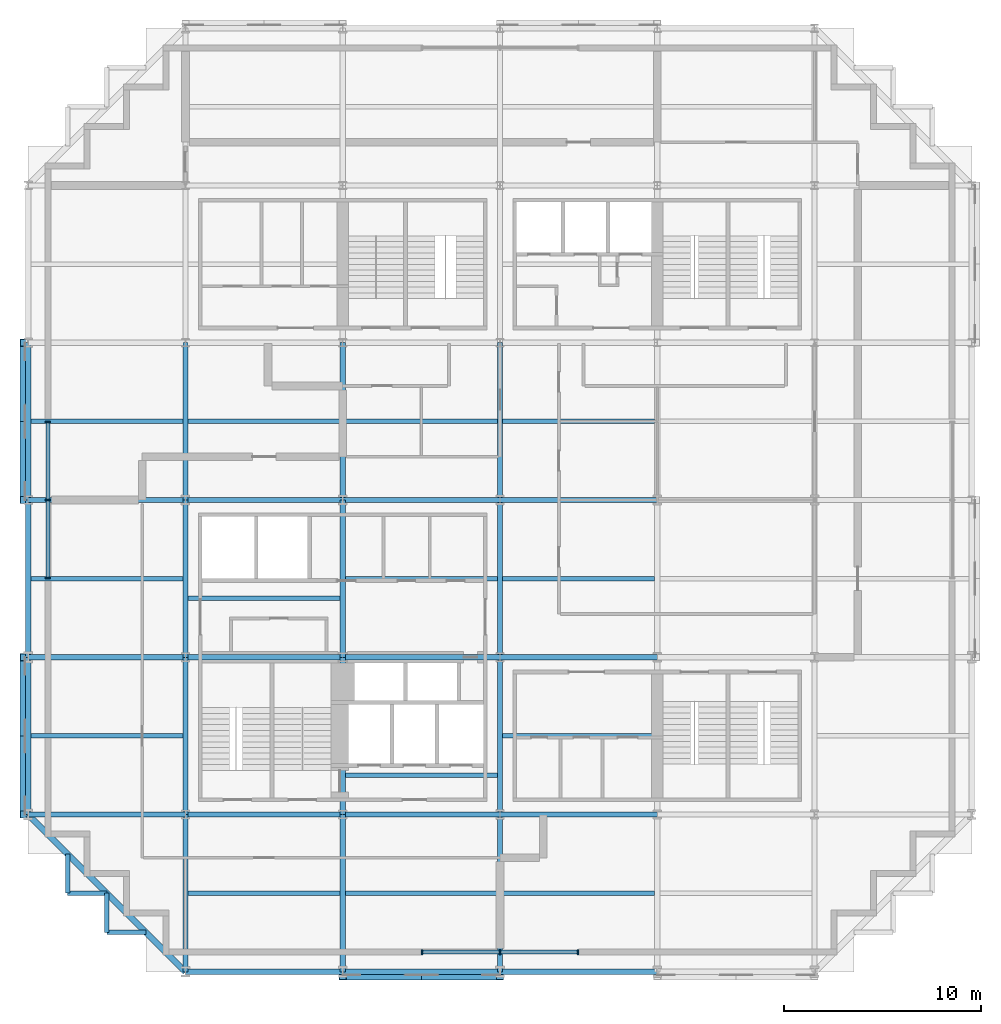
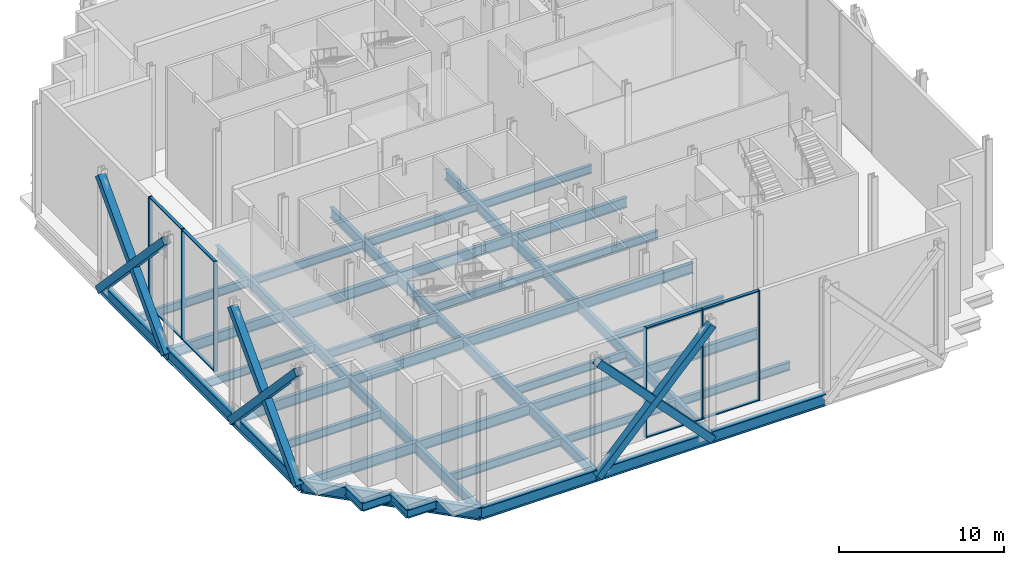
# One storey, part 3 of 13: 49 beams, 20 members, 2 elements without a shape of their own.
"""IFC4 building model written with IfcOpenShell, lengths in metres."""

from ifc_helpers import new_model, si_unit, direction, frame, origin, origin_2d, place, context, subcontext, project, spatial, rectangle, hollow_rectangle, i_section, extrude, material, material_profile, profile_set, type_object, element, aggregate, save


model = new_model("IFC4")

# Units and contexts
model_context = context("Model", 3, precision=1e-05, world=origin(), true_north=direction((0.0, 1.0)))
body_context = subcontext(model_context, "Body", "Model", "MODEL_VIEW")
ifc_project = project(units=[si_unit("LENGTHUNIT", "METRE"), si_unit("AREAUNIT", "SQUARE_METRE"), si_unit("VOLUMEUNIT", "CUBIC_METRE"), si_unit("PLANEANGLEUNIT", "RADIAN"), si_unit("MASSUNIT", "GRAM", prefix="KILO")], contexts=[model_context])

# Site, building, storey
site_placement = place(None, origin())
site = spatial("IfcSite", under=ifc_project, at=site_placement, CompositionType="ELEMENT")
building_placement = place(site_placement, origin())
building = spatial("IfcBuilding", under=site, at=building_placement, Name="Immortelle Media Tower", CompositionType="ELEMENT")
storey_placement = place(building_placement, frame((0.0, 0.0, 21.0)))
storey = spatial("IfcBuildingStorey", under=building, at=storey_placement, Name="L02", CompositionType="ELEMENT", Elevation=21.0)

# Members
ifc_material_1 = material(Name="Steel ASTM A500 Gr C", Category="steel")
ifc_material_profile_1 = material_profile(ifc_material_1, hollow_rectangle(XDim=0.508056640625, YDim=0.508056640625, WallThickness=0.014892578125, at=origin_2d()), Name="HSS20x20x5/8 brace")
ifc_profile_set_1 = profile_set([ifc_material_profile_1], Name="Steel ASTM A500 Gr C")
member_type_1 = type_object("IfcMemberType", Name="HSS20x20x5/8 brace", PredefinedType="BRACE", material=ifc_profile_set_1)
for number, where, z_axis, x_axis, name in (
    (1, (-0.1640625, 32.0, -0.7294921875), (0.0, -0.687508336852, 0.726176484582), (1.0, 0.0, 0.0), "Brace 1/D-E A"),
    (2, (-0.1640625, 32.0, 7.720458984375), (0.0, -0.687508336852, -0.726176484582), (1.0, 0.0, 0.0), "Brace 1/D-E B"),
    (3, (-0.1640625, 16.0, -0.7294921875), (0.0, -0.687508336852, 0.726176484582), (1.0, 0.0, 0.0), "Brace 1/B-C A"),
    (4, (-0.1640625, 16.0, 7.720458984375), (0.0, -0.687508336852, -0.726176484582), (1.0, 0.0, 0.0), "Brace 1/B-C B"),
    (5, (16.0, -0.1640625, -0.7294921875), (0.687508336852, 0.0, 0.726176484582), (0.0, 1.0, 0.0), "Brace A/3-4 A"),
    (6, (16.0, -0.1640625, 7.720458984375), (0.687508336852, 0.0, -0.726176484582), (0.0, 1.0, 0.0), "Brace A/3-4 B"),
):
    element("IfcMember", number, at=place(storey_placement, frame(where, z_axis=z_axis, x_axis=x_axis)), inside=storey, type_object=member_type_1, Name=name, PredefinedType="BRACE", context=body_context, shape_type="SweptSolid", body=[
        extrude(hollow_rectangle(XDim=0.508056640625, YDim=0.508056640625, WallThickness=0.014892578125, at=origin_2d()), origin(), (0.0, 0.0, 1.0), 11.63623046875),
    ])

# Curtain wall, members
ifc_material_2 = material(Name="Aluminium curtain wall system", Category="aluminium")
curtain_wall_type = type_object("IfcCurtainWallType", Name="Media wall curtain wall", PredefinedType="NOTDEFINED", material=ifc_material_2)
curtain_wall_1_placement = place(storey_placement, origin())
curtain_wall_1 = element("IfcCurtainWall", 7, at=curtain_wall_1_placement, inside=storey, type_object=curtain_wall_type, Name="Media wall L02 S 7-2", PredefinedType="NOTDEFINED")
ifc_material_3 = material(Name="Aluminium 6063-T6", Category="aluminium")
ifc_material_profile_2 = material_profile(ifc_material_3, rectangle(XDim=0.25, YDim=0.080078125, at=origin_2d()), Name="AL 80x250")
ifc_profile_set_2 = profile_set([ifc_material_profile_2], Name="Aluminium 6063-T6")
member_type_2 = type_object("IfcMemberType", Name="Media wall mullion 80 x 250", PredefinedType="MULLION", material=ifc_profile_set_2)
member_1_placement = place(storey_placement, frame((20.0400390625, 1.0, 0.0), z_axis=(0.0, 0.0, 1.0), x_axis=(0.0, 1.0, 0.0)))
member_1 = element("IfcMember", 8, at=member_1_placement, type_object=member_type_2, Name="CW3 mullion 1", PredefinedType="MULLION", context=body_context, shape_type="SweptSolid", body=[
    extrude(rectangle(XDim=0.25, YDim=0.080078125, at=origin_2d()), origin(), (0.0, 0.0, 1.0), 8.14990234375),
])
member_2_placement = place(storey_placement, frame((24.0, 1.0, 0.0), z_axis=(0.0, 0.0, 1.0), x_axis=(0.0, 1.0, 0.0)))
member_2 = element("IfcMember", 9, at=member_2_placement, type_object=member_type_2, Name="CW3 mullion 2", PredefinedType="MULLION", context=body_context, shape_type="SweptSolid", body=[
    extrude(rectangle(XDim=0.25, YDim=0.080078125, at=origin_2d()), origin(), (0.0, 0.0, 1.0), 8.14990234375),
])
member_3_placement = place(storey_placement, frame((27.9599609375, 1.0, 0.0), z_axis=(0.0, 0.0, 1.0), x_axis=(0.0, 1.0, 0.0)))
member_3 = element("IfcMember", 10, at=member_3_placement, type_object=member_type_2, Name="CW3 mullion 3", PredefinedType="MULLION", context=body_context, shape_type="SweptSolid", body=[
    extrude(rectangle(XDim=0.25, YDim=0.080078125, at=origin_2d()), origin(), (0.0, 0.0, 1.0), 8.14990234375),
])

curtain_wall_2_placement = place(storey_placement, origin())
curtain_wall_2 = element("IfcCurtainWall", 11, at=curtain_wall_2_placement, inside=storey, type_object=curtain_wall_type, Name="Media wall L02 W 28-2", PredefinedType="NOTDEFINED")
member_4_placement = place(storey_placement, frame((1.0, 27.9599609375, 0.0), z_axis=(0.0, 0.0, 1.0), x_axis=(1.0, 0.0, 0.0)))
member_4 = element("IfcMember", 12, at=member_4_placement, type_object=member_type_2, Name="CW3 mullion 1", PredefinedType="MULLION", context=body_context, shape_type="SweptSolid", body=[
    extrude(rectangle(XDim=0.25, YDim=0.080078125, at=origin_2d()), origin(), (0.0, 0.0, 1.0), 8.14990234375),
])
member_5_placement = place(storey_placement, frame((1.0, 24.0, 0.0), z_axis=(0.0, 0.0, 1.0), x_axis=(1.0, 0.0, 0.0)))
member_5 = element("IfcMember", 13, at=member_5_placement, type_object=member_type_2, Name="CW3 mullion 2", PredefinedType="MULLION", context=body_context, shape_type="SweptSolid", body=[
    extrude(rectangle(XDim=0.25, YDim=0.080078125, at=origin_2d()), origin(), (0.0, 0.0, 1.0), 8.14990234375),
])
member_6_placement = place(storey_placement, frame((1.0, 20.0400390625, 0.0), z_axis=(0.0, 0.0, 1.0), x_axis=(1.0, 0.0, 0.0)))
member_6 = element("IfcMember", 14, at=member_6_placement, type_object=member_type_2, Name="CW3 mullion 3", PredefinedType="MULLION", context=body_context, shape_type="SweptSolid", body=[
    extrude(rectangle(XDim=0.25, YDim=0.080078125, at=origin_2d()), origin(), (0.0, 0.0, 1.0), 8.14990234375),
])

# Member
ifc_material_profile_3 = material_profile(ifc_material_3, rectangle(XDim=0.199951171875, YDim=0.080078125, at=origin_2d()), Name="AL 80x200")
ifc_profile_set_3 = profile_set([ifc_material_profile_3], Name="Aluminium 6063-T6")
member_type_3 = type_object("IfcMemberType", Name="Media wall transom 80 x 200", PredefinedType="USERDEFINED", material=ifc_profile_set_3)
member_7_placement = place(storey_placement, frame((20.080078125, 1.0, 0.0400390625), z_axis=(1.0, 0.0, 0.0), x_axis=(0.0, 1.0, 0.0)))
member_7 = element("IfcMember", 15, at=member_7_placement, type_object=member_type_3, Name="CW3 transom 1.1", ObjectType="TRANSOM", PredefinedType="USERDEFINED", context=body_context, shape_type="SweptSolid", body=[
    extrude(rectangle(XDim=0.199951171875, YDim=0.080078125, at=origin_2d()), origin(), (0.0, 0.0, 1.0), 3.8798828125),
])

member_8_placement = place(storey_placement, frame((20.080078125, 1.0, 8.110107421875), z_axis=(1.0, 0.0, 0.0), x_axis=(0.0, 1.0, 0.0)))
member_8 = element("IfcMember", 16, at=member_8_placement, type_object=member_type_3, Name="CW3 transom 1.2", ObjectType="TRANSOM", PredefinedType="USERDEFINED", context=body_context, shape_type="SweptSolid", body=[
    extrude(rectangle(XDim=0.199951171875, YDim=0.080078125, at=origin_2d()), origin(), (0.0, 0.0, 1.0), 3.8798828125),
])

member_9_placement = place(storey_placement, frame((24.0400390625, 1.0, 0.0400390625), z_axis=(1.0, 0.0, 0.0), x_axis=(0.0, 1.0, 0.0)))
member_9 = element("IfcMember", 17, at=member_9_placement, type_object=member_type_3, Name="CW3 transom 2.1", ObjectType="TRANSOM", PredefinedType="USERDEFINED", context=body_context, shape_type="SweptSolid", body=[
    extrude(rectangle(XDim=0.199951171875, YDim=0.080078125, at=origin_2d()), origin(), (0.0, 0.0, 1.0), 3.8798828125),
])

member_10_placement = place(storey_placement, frame((24.0400390625, 1.0, 8.110107421875), z_axis=(1.0, 0.0, 0.0), x_axis=(0.0, 1.0, 0.0)))
member_10 = element("IfcMember", 18, at=member_10_placement, type_object=member_type_3, Name="CW3 transom 2.2", ObjectType="TRANSOM", PredefinedType="USERDEFINED", context=body_context, shape_type="SweptSolid", body=[
    extrude(rectangle(XDim=0.199951171875, YDim=0.080078125, at=origin_2d()), origin(), (0.0, 0.0, 1.0), 3.8798828125),
])

aggregate(curtain_wall_1, [member_1, member_2, member_3, member_7, member_8, member_9, member_10])

member_11_placement = place(storey_placement, frame((1.0, 27.919921875, 0.0400390625), z_axis=(0.0, -1.0, 0.0), x_axis=(1.0, 0.0, 0.0)))
member_11 = element("IfcMember", 19, at=member_11_placement, type_object=member_type_3, Name="CW3 transom 1.1", ObjectType="TRANSOM", PredefinedType="USERDEFINED", context=body_context, shape_type="SweptSolid", body=[
    extrude(rectangle(XDim=0.199951171875, YDim=0.080078125, at=origin_2d()), origin(), (0.0, 0.0, 1.0), 3.8798828125),
])

member_12_placement = place(storey_placement, frame((1.0, 27.919921875, 8.110107421875), z_axis=(0.0, -1.0, 0.0), x_axis=(1.0, 0.0, 0.0)))
member_12 = element("IfcMember", 20, at=member_12_placement, type_object=member_type_3, Name="CW3 transom 1.2", ObjectType="TRANSOM", PredefinedType="USERDEFINED", context=body_context, shape_type="SweptSolid", body=[
    extrude(rectangle(XDim=0.199951171875, YDim=0.080078125, at=origin_2d()), origin(), (0.0, 0.0, 1.0), 3.8798828125),
])

member_13_placement = place(storey_placement, frame((1.0, 23.9599609375, 0.0400390625), z_axis=(0.0, -1.0, 0.0), x_axis=(1.0, 0.0, 0.0)))
member_13 = element("IfcMember", 21, at=member_13_placement, type_object=member_type_3, Name="CW3 transom 2.1", ObjectType="TRANSOM", PredefinedType="USERDEFINED", context=body_context, shape_type="SweptSolid", body=[
    extrude(rectangle(XDim=0.199951171875, YDim=0.080078125, at=origin_2d()), origin(), (0.0, 0.0, 1.0), 3.8798828125),
])

member_14_placement = place(storey_placement, frame((1.0, 23.9599609375, 8.110107421875), z_axis=(0.0, -1.0, 0.0), x_axis=(1.0, 0.0, 0.0)))
member_14 = element("IfcMember", 22, at=member_14_placement, type_object=member_type_3, Name="CW3 transom 2.2", ObjectType="TRANSOM", PredefinedType="USERDEFINED", context=body_context, shape_type="SweptSolid", body=[
    extrude(rectangle(XDim=0.199951171875, YDim=0.080078125, at=origin_2d()), origin(), (0.0, 0.0, 1.0), 3.8798828125),
])

aggregate(curtain_wall_2, [member_4, member_5, member_6, member_11, member_12, member_13, member_14])

# Beams
ifc_material_4 = material(Name="Steel ASTM A992 Gr 50", Category="steel")
ifc_material_profile_4 = material_profile(ifc_material_4, i_section(OverallWidth=0.22900390625, OverallDepth=0.612060546875, WebThickness=0.011962890625, FlangeThickness=0.02001953125, at=origin_2d()), Name="W24x84")
ifc_profile_set_4 = profile_set([ifc_material_profile_4], Name="Steel ASTM A992 Gr 50")
beam_type_1 = type_object("IfcBeamType", Name="W24x84 secondary beam", PredefinedType="JOIST", material=ifc_profile_set_4)
for number, where, z_axis, x_axis, name in (
    (23, (8.133544921875, 4.0, -0.60595703125), (1.0, 0.0, 0.0), (0.0, 1.0, 0.0), "Beam A-B/2-3"),
    (24, (16.133544921875, 4.0, -0.60595703125), (1.0, 0.0, 0.0), (0.0, 1.0, 0.0), "Beam A-B/3-4"),
    (25, (24.133544921875, 4.0, -0.60595703125), (1.0, 0.0, 0.0), (0.0, 1.0, 0.0), "Beam A-B/4-5"),
):
    element("IfcBeam", number, at=place(storey_placement, frame(where, z_axis=z_axis, x_axis=x_axis)), inside=storey, type_object=beam_type_1, Name=name, PredefinedType="JOIST", context=body_context, shape_type="SweptSolid", body=[
        extrude(i_section(OverallWidth=0.22900390625, OverallDepth=0.612060546875, WebThickness=0.011962890625, FlangeThickness=0.02001953125, at=origin_2d()), origin(), (0.0, 0.0, 1.0), 7.73291015625),
    ])
beam_1_placement = place(storey_placement, frame((0.14599609375, 12.0, -0.60595703125), z_axis=(1.0, 0.0, 0.0), x_axis=(0.0, 1.0, 0.0)))
element("IfcBeam", 26, at=beam_1_placement, inside=storey, type_object=beam_type_1, Name="Beam B-C/1-2", PredefinedType="JOIST", context=body_context, shape_type="SweptSolid", body=[
    extrude(i_section(OverallWidth=0.22900390625, OverallDepth=0.612060546875, WebThickness=0.011962890625, FlangeThickness=0.02001953125, at=origin_2d()), origin(), (0.0, 0.0, 1.0), 7.720458984375),
])
for number, where, z_axis, x_axis, name in (
    (27, (16.133544921875, 10.0, -0.60595703125), (1.0, 0.0, 0.0), (0.0, 1.0, 0.0), "Beam B-C/3-4"),
    (28, (24.133544921875, 12.0, -0.60595703125), (1.0, 0.0, 0.0), (0.0, 1.0, 0.0), "Beam B-C/4-5"),
):
    element("IfcBeam", number, at=place(storey_placement, frame(where, z_axis=z_axis, x_axis=x_axis)), inside=storey, type_object=beam_type_1, Name=name, PredefinedType="JOIST", context=body_context, shape_type="SweptSolid", body=[
        extrude(i_section(OverallWidth=0.22900390625, OverallDepth=0.612060546875, WebThickness=0.011962890625, FlangeThickness=0.02001953125, at=origin_2d()), origin(), (0.0, 0.0, 1.0), 7.73291015625),
    ])
beam_2_placement = place(storey_placement, frame((0.14599609375, 20.0, -0.60595703125), z_axis=(1.0, 0.0, 0.0), x_axis=(0.0, 1.0, 0.0)))
element("IfcBeam", 29, at=beam_2_placement, inside=storey, type_object=beam_type_1, Name="Beam C-D/1-2", PredefinedType="JOIST", context=body_context, shape_type="SweptSolid", body=[
    extrude(i_section(OverallWidth=0.22900390625, OverallDepth=0.612060546875, WebThickness=0.011962890625, FlangeThickness=0.02001953125, at=origin_2d()), origin(), (0.0, 0.0, 1.0), 7.720458984375),
])
for number, where, z_axis, x_axis, name in (
    (30, (8.133544921875, 19.0, -0.60595703125), (1.0, 0.0, 0.0), (0.0, 1.0, 0.0), "Beam C-D/2-3"),
    (31, (16.133544921875, 20.0, -0.60595703125), (1.0, 0.0, 0.0), (0.0, 1.0, 0.0), "Beam C-D/3-4"),
    (32, (24.133544921875, 20.0, -0.60595703125), (1.0, 0.0, 0.0), (0.0, 1.0, 0.0), "Beam C-D/4-5"),
):
    element("IfcBeam", number, at=place(storey_placement, frame(where, z_axis=z_axis, x_axis=x_axis)), inside=storey, type_object=beam_type_1, Name=name, PredefinedType="JOIST", context=body_context, shape_type="SweptSolid", body=[
        extrude(i_section(OverallWidth=0.22900390625, OverallDepth=0.612060546875, WebThickness=0.011962890625, FlangeThickness=0.02001953125, at=origin_2d()), origin(), (0.0, 0.0, 1.0), 7.73291015625),
    ])
beam_3_placement = place(storey_placement, frame((0.14599609375, 28.0, -0.60595703125), z_axis=(1.0, 0.0, 0.0), x_axis=(0.0, 1.0, 0.0)))
element("IfcBeam", 33, at=beam_3_placement, inside=storey, type_object=beam_type_1, Name="Beam D-E/1-2", PredefinedType="JOIST", context=body_context, shape_type="SweptSolid", body=[
    extrude(i_section(OverallWidth=0.22900390625, OverallDepth=0.612060546875, WebThickness=0.011962890625, FlangeThickness=0.02001953125, at=origin_2d()), origin(), (0.0, 0.0, 1.0), 7.720458984375),
])
for number, where, z_axis, x_axis, name in (
    (34, (8.133544921875, 28.0, -0.60595703125), (1.0, 0.0, 0.0), (0.0, 1.0, 0.0), "Beam D-E/2-3"),
    (35, (16.133544921875, 28.0, -0.60595703125), (1.0, 0.0, 0.0), (0.0, 1.0, 0.0), "Beam D-E/3-4"),
    (36, (24.133544921875, 28.0, -0.60595703125), (1.0, 0.0, 0.0), (0.0, 1.0, 0.0), "Beam D-E/4-5"),
):
    element("IfcBeam", number, at=place(storey_placement, frame(where, z_axis=z_axis, x_axis=x_axis)), inside=storey, type_object=beam_type_1, Name=name, PredefinedType="JOIST", context=body_context, shape_type="SweptSolid", body=[
        extrude(i_section(OverallWidth=0.22900390625, OverallDepth=0.612060546875, WebThickness=0.011962890625, FlangeThickness=0.02001953125, at=origin_2d()), origin(), (0.0, 0.0, 1.0), 7.73291015625),
    ])
ifc_material_profile_5 = material_profile(ifc_material_4, i_section(OverallWidth=0.22900390625, OverallDepth=0.612060546875, WebThickness=0.011962890625, FlangeThickness=0.02001953125, at=origin_2d()), Name="W24x84")
ifc_profile_set_5 = profile_set([ifc_material_profile_5], Name="Steel ASTM A992 Gr 50")
beam_type_2 = type_object("IfcBeamType", Name="W24x84 serration edge beam", PredefinedType="SPANDREL", material=ifc_profile_set_5)
for number, where, z_axis, x_axis, name in (
    (37, (6.0, 2.0, -0.60595703125), (-1.0, 0.0, 0.0), (0.0, -1.0, 0.0), "Corner edge beam 1 at 1/A"),
    (38, (4.0, 2.0, -0.60595703125), (0.0, 1.0, 0.0), (-1.0, 0.0, 0.0), "Corner edge beam 2 at 1/A"),
    (39, (4.0, 4.0, -0.60595703125), (-1.0, 0.0, 0.0), (0.0, -1.0, 0.0), "Corner edge beam 3 at 1/A"),
    (40, (2.0, 4.0, -0.60595703125), (0.0, 1.0, 0.0), (-1.0, 0.0, 0.0), "Corner edge beam 4 at 1/A"),
):
    element("IfcBeam", number, at=place(storey_placement, frame(where, z_axis=z_axis, x_axis=x_axis)), inside=storey, type_object=beam_type_2, Name=name, PredefinedType="SPANDREL", context=body_context, shape_type="SweptSolid", body=[
        extrude(i_section(OverallWidth=0.22900390625, OverallDepth=0.612060546875, WebThickness=0.011962890625, FlangeThickness=0.02001953125, at=origin_2d()), origin(), (0.0, 0.0, 1.0), 2.0),
    ])
ifc_material_profile_6 = material_profile(ifc_material_4, i_section(OverallWidth=0.26708984375, OverallDepth=0.761962890625, WebThickness=0.013916015625, FlangeThickness=0.02197265625, at=origin_2d()), Name="W30x116")
ifc_profile_set_6 = profile_set([ifc_material_profile_6], Name="Steel ASTM A992 Gr 50")
beam_type_3 = type_object("IfcBeamType", Name="W30x116 girder", PredefinedType="BEAM", material=ifc_profile_set_6)
for number, where, z_axis, x_axis, name in (
    (41, (0.0, 8.0, -0.680908203125), (1.0, 0.0, 0.0), (0.0, 1.0, 0.0), "Girder B/1-2"),
    (42, (0.0, 16.0, -0.680908203125), (1.0, 0.0, 0.0), (0.0, 1.0, 0.0), "Girder C/1-2"),
    (43, (0.0, 24.0, -0.680908203125), (1.0, 0.0, 0.0), (0.0, 1.0, 0.0), "Girder D/1-2"),
    (44, (8.0, 0.0, -0.680908203125), (0.0, 1.0, 0.0), (-1.0, 0.0, 0.0), "Girder 2/A-B"),
    (45, (8.0, 8.0, -0.680908203125), (1.0, 0.0, 0.0), (0.0, 1.0, 0.0), "Girder B/2-3"),
    (46, (8.0, 8.0, -0.680908203125), (0.0, 1.0, 0.0), (-1.0, 0.0, 0.0), "Girder 2/B-C"),
    (47, (8.0, 16.0, -0.680908203125), (1.0, 0.0, 0.0), (0.0, 1.0, 0.0), "Girder C/2-3"),
    (48, (8.0, 16.0, -0.680908203125), (0.0, 1.0, 0.0), (-1.0, 0.0, 0.0), "Girder 2/C-D"),
    (49, (8.0, 24.0, -0.680908203125), (1.0, 0.0, 0.0), (0.0, 1.0, 0.0), "Girder D/2-3"),
    (50, (8.0, 24.0, -0.680908203125), (0.0, 1.0, 0.0), (-1.0, 0.0, 0.0), "Girder 2/D-E"),
    (51, (16.0, 0.0, -0.680908203125), (0.0, 1.0, 0.0), (-1.0, 0.0, 0.0), "Girder 3/A-B"),
    (52, (16.0, 8.0, -0.680908203125), (1.0, 0.0, 0.0), (0.0, 1.0, 0.0), "Girder B/3-4"),
    (53, (16.0, 8.0, -0.680908203125), (0.0, 1.0, 0.0), (-1.0, 0.0, 0.0), "Girder 3/B-C"),
    (54, (16.0, 16.0, -0.680908203125), (1.0, 0.0, 0.0), (0.0, 1.0, 0.0), "Girder C/3-4"),
    (55, (16.0, 16.0, -0.680908203125), (0.0, 1.0, 0.0), (-1.0, 0.0, 0.0), "Girder 3/C-D"),
    (56, (16.0, 24.0, -0.680908203125), (1.0, 0.0, 0.0), (0.0, 1.0, 0.0), "Girder D/3-4"),
    (57, (16.0, 24.0, -0.680908203125), (0.0, 1.0, 0.0), (-1.0, 0.0, 0.0), "Girder 3/D-E"),
    (58, (24.0, 0.0, -0.680908203125), (0.0, 1.0, 0.0), (-1.0, 0.0, 0.0), "Girder 4/A-B"),
    (59, (24.0, 8.0, -0.680908203125), (1.0, 0.0, 0.0), (0.0, 1.0, 0.0), "Girder B/4-5"),
    (60, (24.0, 8.0, -0.680908203125), (0.0, 1.0, 0.0), (-1.0, 0.0, 0.0), "Girder 4/B-C"),
    (61, (24.0, 16.0, -0.680908203125), (1.0, 0.0, 0.0), (0.0, 1.0, 0.0), "Girder C/4-5"),
    (62, (24.0, 16.0, -0.680908203125), (0.0, 1.0, 0.0), (-1.0, 0.0, 0.0), "Girder 4/C-D"),
    (63, (24.0, 24.0, -0.680908203125), (1.0, 0.0, 0.0), (0.0, 1.0, 0.0), "Girder D/4-5"),
    (64, (24.0, 24.0, -0.680908203125), (0.0, 1.0, 0.0), (-1.0, 0.0, 0.0), "Girder 4/D-E"),
):
    element("IfcBeam", number, at=place(storey_placement, frame(where, z_axis=z_axis, x_axis=x_axis)), inside=storey, type_object=beam_type_3, Name=name, PredefinedType="BEAM", context=body_context, shape_type="SweptSolid", body=[
        extrude(i_section(OverallWidth=0.26708984375, OverallDepth=0.761962890625, WebThickness=0.013916015625, FlangeThickness=0.02197265625, at=origin_2d()), origin(), (0.0, 0.0, 1.0), 8.0),
    ])
ifc_material_profile_7 = material_profile(ifc_material_4, i_section(OverallWidth=0.2919921875, OverallDepth=0.85888671875, WebThickness=0.01708984375, FlangeThickness=0.031005859375, at=origin_2d()), Name="W33x169")
ifc_profile_set_7 = profile_set([ifc_material_profile_7], Name="Steel ASTM A992 Gr 50")
beam_type_4 = type_object("IfcBeamType", Name="W33x169 perimeter girder", PredefinedType="SPANDREL", material=ifc_profile_set_7)
for number, where, z_axis, x_axis, name in (
    (65, (0.0, 8.0, -0.7294921875), (0.0, 1.0, 0.0), (-1.0, 0.0, 0.0), "Girder 1/B-C"),
    (66, (0.0, 16.0, -0.7294921875), (0.0, 1.0, 0.0), (-1.0, 0.0, 0.0), "Girder 1/C-D"),
    (67, (0.0, 24.0, -0.7294921875), (0.0, 1.0, 0.0), (-1.0, 0.0, 0.0), "Girder 1/D-E"),
    (68, (8.0, 0.0, -0.7294921875), (1.0, 0.0, 0.0), (0.0, 1.0, 0.0), "Girder A/2-3"),
    (69, (16.0, 0.0, -0.7294921875), (1.0, 0.0, 0.0), (0.0, 1.0, 0.0), "Girder A/3-4"),
    (70, (24.0, 0.0, -0.7294921875), (1.0, 0.0, 0.0), (0.0, 1.0, 0.0), "Girder A/4-5"),
):
    element("IfcBeam", number, at=place(storey_placement, frame(where, z_axis=z_axis, x_axis=x_axis)), inside=storey, type_object=beam_type_4, Name=name, PredefinedType="SPANDREL", context=body_context, shape_type="SweptSolid", body=[
        extrude(i_section(OverallWidth=0.2919921875, OverallDepth=0.85888671875, WebThickness=0.01708984375, FlangeThickness=0.031005859375, at=origin_2d()), origin(), (0.0, 0.0, 1.0), 8.0),
    ])
ifc_material_profile_8 = material_profile(ifc_material_4, i_section(OverallWidth=0.306884765625, OverallDepth=0.927001953125, WebThickness=0.01904296875, FlangeThickness=0.031982421875, at=origin_2d()), Name="W36x194")
ifc_profile_set_8 = profile_set([ifc_material_profile_8], Name="Steel ASTM A992 Gr 50")
beam_type_5 = type_object("IfcBeamType", Name="W36x194 corner girder", PredefinedType="SPANDREL", material=ifc_profile_set_8)
beam_4_placement = place(storey_placement, frame((8.0, 0.0, -0.763427734375), z_axis=(-0.707106781187, 0.707106781187, 0.0), x_axis=(-0.707106781187, -0.707106781187, 0.0)))
element("IfcBeam", 71, at=beam_4_placement, inside=storey, type_object=beam_type_5, Name="Corner girder at 1/A", PredefinedType="SPANDREL", context=body_context, shape_type="SweptSolid", body=[
    extrude(i_section(OverallWidth=0.306884765625, OverallDepth=0.927001953125, WebThickness=0.01904296875, FlangeThickness=0.031982421875, at=origin_2d()), origin(), (0.0, 0.0, 1.0), 11.313720703125),
])

save(model, "model.ifc")
